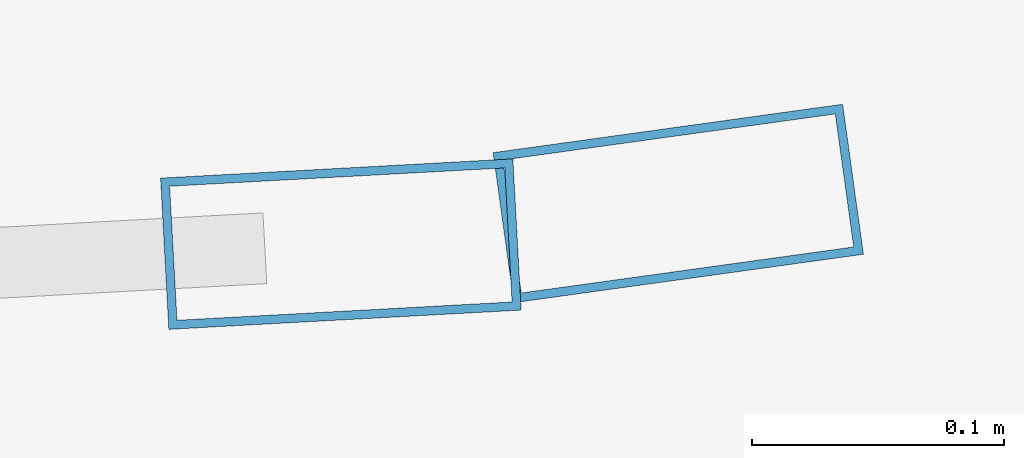
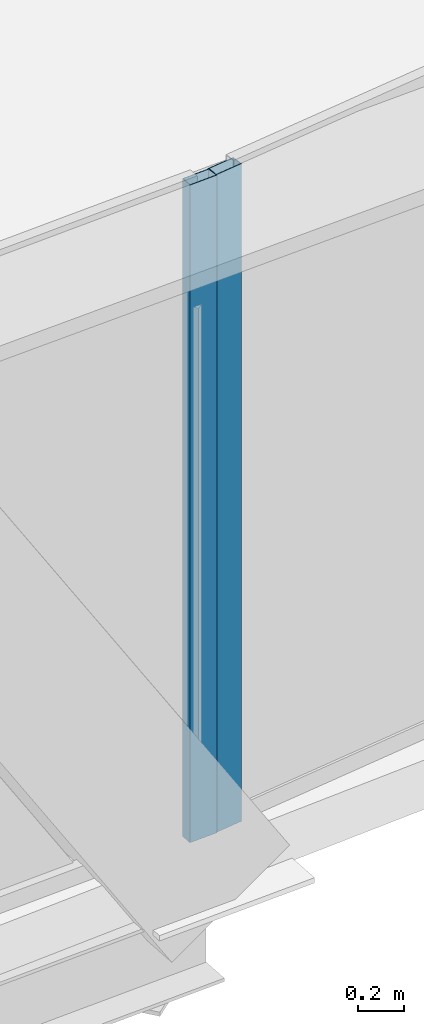
# One storey, part 12 of 37: 2 members, 2 elements without a shape of their own.
"""IFC4 building model written with IfcOpenShell, lengths in metres."""

import ifcopenshell
import ifcopenshell.guid

model = None  # the IFC model being written
_history = None  # IfcOwnerHistory: only IFC2X3 demands one
_inside = {}  # id of a spatial element -> (the spatial element, [elements in it])
_under = {}  # id of a project, library or spatial element -> (it, [spatial elements below it])
_declared = {}  # id of a project -> (the project, [libraries it declares])
_typed = {}  # id of a type object -> (the type object, [elements of that type])
_made_of = {}  # id of a material, layer set ... -> (it, [elements and type objects made of it])


def new_model(schema):
    """Start an empty IFC model of exactly this schema.

    Asked for "IFC4X3", IfcOpenShell would pick the latest addendum, in which some entities
    have other attributes; the version numbers below select the first issue.
    IFC2X3 requires an IfcOwnerHistory on every rooted entity: one is made here for all.
    """
    global model, _history
    if schema == "IFC4X3":
        model = ifcopenshell.file(schema_version=(4, 3, 0, 0))
    else:
        model = ifcopenshell.file(schema=schema)
    _inside.clear()
    _under.clear()
    _declared.clear()
    _typed.clear()
    _made_of.clear()
    _history = None
    if model.schema == "IFC2X3":
        org = make("IfcOrganization", Name="unknown")
        user = make(
            "IfcPersonAndOrganization",
            ThePerson=make("IfcPerson", FamilyName="unknown"),
            TheOrganization=org,
        )
        app = make(
            "IfcApplication",
            ApplicationDeveloper=org,
            Version="unknown",
            ApplicationFullName="unknown",
            ApplicationIdentifier="unknown",
        )
        _history = make(
            "IfcOwnerHistory",
            OwningUser=user,
            OwningApplication=app,
            ChangeAction="ADDED",
            CreationDate=0,
        )
    return model


def make(cls, **values):
    """One entity of the class cls with the attributes given. An attribute that is None is left unset."""
    return model.create_entity(
        cls, **{name: value for name, value in values.items() if value is not None}
    )


def rooted(cls, **values):
    """An entity with a GlobalId (a new one), such as an element, a storey or a relation."""
    return make(cls, GlobalId=ifcopenshell.guid.new(), OwnerHistory=_history, **values)


def si_unit(unit_type, name, prefix=None):
    """IfcSIUnit, for example si_unit("LENGTHUNIT", "METRE", prefix="MILLI")."""
    return make("IfcSIUnit", UnitType=unit_type, Prefix=prefix, Name=name)


def assignment(units):
    """IfcUnitAssignment: the units of a project."""
    return None if units is None else make("IfcUnitAssignment", Units=units)


def point(xyz):
    """IfcCartesianPoint."""
    return None if xyz is None else make("IfcCartesianPoint", Coordinates=xyz)


def direction(xyz):
    """IfcDirection."""
    return None if xyz is None else make("IfcDirection", DirectionRatios=xyz)


def frame(location, z_axis=None, x_axis=None):
    """IfcAxis2Placement3D, a coordinate frame: its origin and axes. An axis left out is left unset."""
    return make(
        "IfcAxis2Placement3D",
        Location=point(location),
        Axis=direction(z_axis),
        RefDirection=direction(x_axis),
    )


def frame_2d(location, x_axis=None):
    """IfcAxis2Placement2D, a coordinate frame in the plane: its origin and x axis."""
    return make(
        "IfcAxis2Placement2D", Location=point(location), RefDirection=direction(x_axis)
    )


def origin():
    """The frame at (0, 0, 0) with its axes left unset."""
    return frame((0.0, 0.0, 0.0))


def origin_2d():
    """The frame at (0, 0) in the plane with its x axis left unset."""
    return frame_2d((0.0, 0.0))


def place(relative_to, where):
    """IfcLocalPlacement: puts the frame where relative to a parent placement (None: the world)."""
    return make(
        "IfcLocalPlacement", PlacementRelTo=relative_to, RelativePlacement=where
    )


def context(
    kind, dimensions, precision=None, world=None, true_north=None, identifier=None
):
    """IfcGeometricRepresentationContext, for example the 3D "Model" context."""
    return make(
        "IfcGeometricRepresentationContext",
        ContextIdentifier=identifier,
        ContextType=kind,
        CoordinateSpaceDimension=dimensions,
        Precision=precision,
        WorldCoordinateSystem=world,
        TrueNorth=true_north,
    )


def subcontext(parent, identifier, kind, view, scale=None):
    """IfcGeometricRepresentationSubContext, for example "Body" below "Model"."""
    return make(
        "IfcGeometricRepresentationSubContext",
        ContextIdentifier=identifier,
        ContextType=kind,
        ParentContext=parent,
        TargetScale=scale,
        TargetView=view,
    )


def project(units=None, contexts=None):
    """IfcProject with its units and contexts."""
    return rooted(
        "IfcProject",
        Name="project",
        RepresentationContexts=contexts,
        UnitsInContext=assignment(units),
    )


def spatial(cls, under=None, at=None, **own):
    """A site, building, storey or space (cls), placed at a placement, below another one or the project."""
    s = rooted(cls, ObjectPlacement=at, **own)
    if under is not None:
        _under.setdefault(under.id(), (under, []))[1].append(s)
    return s


def profile(cls, at=None, kind="AREA", **sizes):
    """A parametric profile (cls). Its sizes go by their IFC names, for example OverallWidth=200.0."""
    return make(cls, ProfileType=kind, Position=at, **sizes)


def hollow_rectangle(**sizes):
    """IfcRectangleHollowProfileDef."""
    return profile("IfcRectangleHollowProfileDef", **sizes)


def extrude(swept, where, along, depth):
    """IfcExtrudedAreaSolid: the profile swept, set in the frame where, extruded along a direction by depth."""
    return make(
        "IfcExtrudedAreaSolid",
        SweptArea=swept,
        Position=where,
        ExtrudedDirection=direction(along),
        Depth=depth,
    )


def shape(context_of_items, identifier, shape_type, items):
    """IfcShapeRepresentation: the items that make up one representation, for example the "Body"."""
    return make(
        "IfcShapeRepresentation",
        ContextOfItems=context_of_items,
        RepresentationIdentifier=identifier,
        RepresentationType=shape_type,
        Items=items,
    )


def source(mapping_origin, context_of_items, identifier, shape_type, items):
    """IfcRepresentationMap: a shape defined once, which mapped items show again and again."""
    return make(
        "IfcRepresentationMap",
        MappingOrigin=mapping_origin,
        MappedRepresentation=shape(context_of_items, identifier, shape_type, items),
    )


def transform(
    local_origin,
    x_axis=None,
    y_axis=None,
    z_axis=None,
    scale=None,
    scale2=None,
    scale3=None,
    uniform=True,
):
    """IfcCartesianTransformationOperator3D, or its non-uniform kind. x_axis, y_axis, z_axis: its Axis1, 2, 3."""
    if uniform:
        return make(
            "IfcCartesianTransformationOperator3D",
            Axis1=direction(x_axis),
            Axis2=direction(y_axis),
            LocalOrigin=point(local_origin),
            Scale=scale,
            Axis3=direction(z_axis),
        )
    return make(
        "IfcCartesianTransformationOperator3DnonUniform",
        Axis1=direction(x_axis),
        Axis2=direction(y_axis),
        LocalOrigin=point(local_origin),
        Scale=scale,
        Axis3=direction(z_axis),
        Scale2=scale2,
        Scale3=scale3,
    )


def mapped(mapping_source, mapping_target):
    """IfcMappedItem: shows the shape of a source again, moved by a transform."""
    return make(
        "IfcMappedItem", MappingSource=mapping_source, MappingTarget=mapping_target
    )


def material(Name=None, Category=None):
    """IfcMaterial."""
    return make("IfcMaterial", Name=Name, Category=Category)


def layer(
    of_material, thickness, ventilated=None, Name=None, Category=None, Priority=None
):
    """IfcMaterialLayer: one layer of a wall or slab, of a material (None: an air gap)."""
    return make(
        "IfcMaterialLayer",
        Material=of_material,
        LayerThickness=thickness,
        IsVentilated=ventilated,
        Name=Name,
        Category=Category,
        Priority=Priority,
    )


def layer_set(layers, Name=None):
    """IfcMaterialLayerSet."""
    return make("IfcMaterialLayerSet", MaterialLayers=layers, LayerSetName=Name)


def material_profile(
    of_material, cross_section, Name=None, Category=None, Priority=None
):
    """IfcMaterialProfile: a cross section and its material."""
    return make(
        "IfcMaterialProfile",
        Name=Name,
        Material=of_material,
        Profile=cross_section,
        Priority=Priority,
        Category=Category,
    )


def profile_set(profiles, Name=None, composite=None):
    """IfcMaterialProfileSet."""
    return make(
        "IfcMaterialProfileSet",
        Name=Name,
        MaterialProfiles=profiles,
        CompositeProfile=composite,
    )


def made_of(thing, what):
    """Note that an element or type object is made of a material, layer set ...; save() writes the relation."""
    if what is not None:
        _made_of.setdefault(what.id(), (what, []))[1].append(thing)
    return thing


def type_object(cls, material=None, **own):
    """A type object (cls), such as IfcWallType, which elements share."""
    return made_of(rooted(cls, **own), material)


def element(
    cls,
    number,
    at=None,
    inside=None,
    cuts=None,
    type_object=None,
    material=None,
    context=None,
    identifier="Body",
    shape_type=None,
    held_by="IfcProductDefinitionShape",
    body=None,
    shapes=None,
    **own,
):
    """One element of the class cls, such as IfcWall. Its Tag is "e" and its number.

    at: its placement. inside: the storey or other place that contains it. cuts: it is an
    opening in that element (IfcRelVoidsElement). A single representation is given by context,
    identifier, shape_type and body (its items); several are given by shapes. held_by: the class
    of the entity that holds the representations. save() writes the other relations.
    """
    e = rooted(cls, Tag="e%d" % number, ObjectPlacement=at, **own)
    if body is not None:
        shapes = [shape(context, identifier, shape_type, body)]
    if shapes is not None:
        e.Representation = make(held_by, Representations=shapes)
    if inside is not None:
        _inside.setdefault(inside.id(), (inside, []))[1].append(e)
    if cuts is not None:
        rooted(
            "IfcRelVoidsElement", RelatingBuildingElement=cuts, RelatedOpeningElement=e
        )
    if type_object is not None:
        _typed.setdefault(type_object.id(), (type_object, []))[1].append(e)
    return made_of(e, material)


def aggregate(whole, parts):
    """IfcRelAggregates: a whole, such as a stair, and the parts it consists of."""
    return rooted("IfcRelAggregates", RelatingObject=whole, RelatedObjects=parts)


def save(model, path):
    """Write the relations noted so far, then the file.

    IfcRelAggregates (storeys below a building ...), IfcRelContainedInSpatialStructure (elements
    in a storey), IfcRelDefinesByType, IfcRelAssociatesMaterial and IfcRelDeclares: one each for
    every whole, place, type object, material and project.
    """
    for whole, parts in _under.values():
        aggregate(whole, parts)
    for where, things in _inside.values():
        rooted(
            "IfcRelContainedInSpatialStructure",
            RelatedElements=things,
            RelatingStructure=where,
        )
    for kind, things in _typed.values():
        rooted("IfcRelDefinesByType", RelatedObjects=things, RelatingType=kind)
    for what, things in _made_of.values():
        rooted("IfcRelAssociatesMaterial", RelatedObjects=things, RelatingMaterial=what)
    for by, libraries in _declared.values():
        rooted("IfcRelDeclares", RelatingContext=by, RelatedDefinitions=libraries)
    model.write(path)


model = new_model("IFC4")

# Units and contexts
model_context = context("Model", 3, precision=1e-05, world=origin(), true_north=direction((0.0, 1.0)))
body_context = subcontext(model_context, "Body", "Model", "MODEL_VIEW")
ifc_project = project(units=[si_unit("LENGTHUNIT", "METRE"), si_unit("AREAUNIT", "SQUARE_METRE"), si_unit("VOLUMEUNIT", "CUBIC_METRE"), si_unit("PLANEANGLEUNIT", "RADIAN"), si_unit("MASSUNIT", "GRAM", prefix="KILO"), si_unit("THERMODYNAMICTEMPERATUREUNIT", "KELVIN"), si_unit("POWERUNIT", "WATT")], contexts=[model_context])

# Site, building, storey
site_placement = place(None, origin())
site = spatial("IfcSite", under=ifc_project, at=site_placement, CompositionType="ELEMENT")
building_placement = place(site_placement, origin())
building = spatial("IfcBuilding", under=site, at=building_placement, Name="Yunzhuo Pagoda Commons", CompositionType="ELEMENT")
storey_placement = place(building_placement, frame((0.0, 0.0, 240.800048828125)))
storey = spatial("IfcBuildingStorey", under=building, at=storey_placement, Name="L60", CompositionType="ELEMENT", Elevation=240.800048828125)

# Curtain wall, member
ifc_material = material(Name="Anodized aluminium 6063-T6", Category="aluminium")
ifc_layer = layer(ifc_material, 0.139892578125)
ifc_layer_set = layer_set([ifc_layer], Name="Anodized aluminium 6063-T6")
curtain_wall_type = type_object("IfcCurtainWallType", Name="CW-HI High-Zone Ribbon Curtain Wall", PredefinedType="NOTDEFINED", material=ifc_layer_set)
curtain_wall_1_placement = place(storey_placement, origin())
curtain_wall_1 = element("IfcCurtainWall", 1, at=curtain_wall_1_placement, inside=storey, type_object=curtain_wall_type, Name="L60 curtain wall CW-L60-F1B4", PredefinedType="NOTDEFINED")
ifc_material_profile = material_profile(ifc_material, hollow_rectangle(XDim=0.06005859375, YDim=0.139892578125, WallThickness=0.00341796875, at=origin_2d()), Name="Anodized aluminium 6063-T6")
ifc_profile_set = profile_set([ifc_material_profile], Name="Anodized aluminium 6063-T6")
member_type = type_object("IfcMemberType", Name="CW-HI-M Mullion RHS 140x60x3.5", PredefinedType="MULLION", material=ifc_profile_set)
shared_shape = source(origin(), body_context, "Body", "SweptSolid", [
    extrude(hollow_rectangle(XDim=0.06005859375, YDim=0.139892578125, WallThickness=0.00341796875, at=origin_2d()), origin(), (0.0, 0.0, 1.0), 3.47021484375),
])
member_1_placement = place(storey_placement, frame((62.079345703125, 16.883544921875, 0.0), z_axis=(0.0, 0.0, 1.0), x_axis=(-0.054497194278, 0.998513923697, 0.0)))
member_1 = element("IfcMember", 2, at=member_1_placement, type_object=member_type, Name="CW mullion 2", PredefinedType="MULLION", context=body_context, shape_type="MappedRepresentation", body=[
    mapped(shared_shape, transform((0.0, 0.0, 0.0), scale=1.0)),
])
aggregate(curtain_wall_1, [member_1])

curtain_wall_2_placement = place(storey_placement, origin())
curtain_wall_2 = element("IfcCurtainWall", 3, at=curtain_wall_2_placement, inside=storey, type_object=curtain_wall_type, Name="L60 curtain wall CW-L60-F1B5", PredefinedType="NOTDEFINED")
member_2_placement = place(storey_placement, frame((62.213134765625, 16.899658203125, 0.0), z_axis=(0.0, 0.0, 1.0), x_axis=(-0.137250412651, 0.990536382082, 0.0)))
member_2 = element("IfcMember", 4, at=member_2_placement, type_object=member_type, Name="CW mullion 1", PredefinedType="MULLION", context=body_context, shape_type="MappedRepresentation", body=[
    mapped(shared_shape, transform((0.0, 0.0, 0.0), scale=1.0)),
])
aggregate(curtain_wall_2, [member_2])

save(model, "model.ifc")
